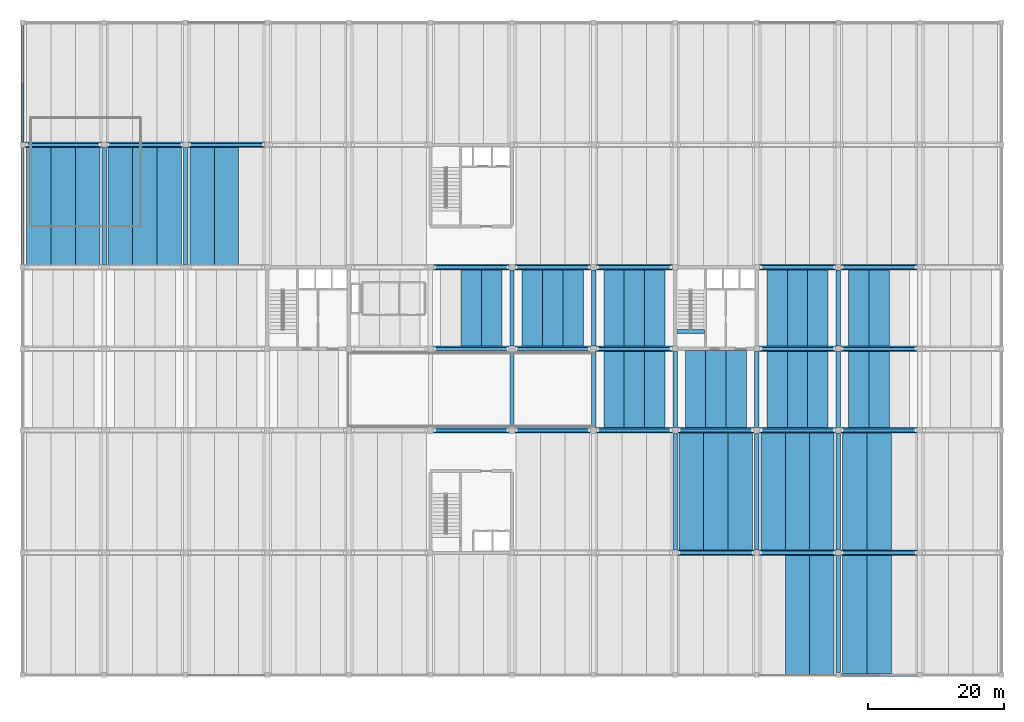
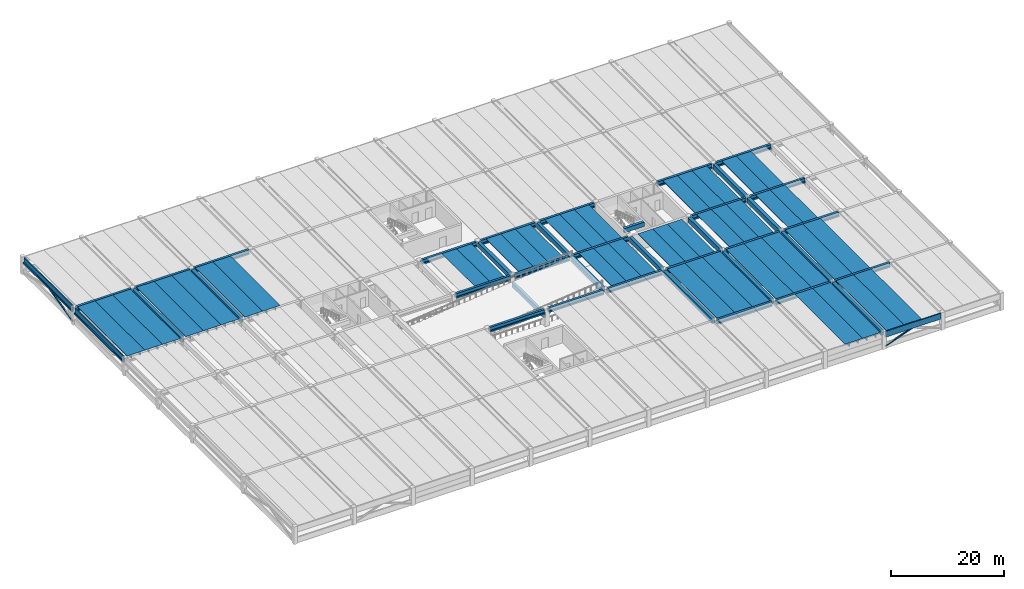
# One storey, part 3 of 14: 84 beams, 2 members.
"""IFC4 building model written with IfcOpenShell, lengths in metres."""

from ifc_helpers import new_model, si_unit, direction, frame, origin, origin_2d, place, context, subcontext, project, spatial, polyline, rectangle, hollow_rectangle, outline, extrude, material, material_profile, profile_set, type_object, element, save


model = new_model("IFC4")

# Units and contexts
model_context = context("Model", 3, precision=1e-05, world=origin(), true_north=direction((0.0, 1.0)))
body_context = subcontext(model_context, "Body", "Model", "MODEL_VIEW")
ifc_project = project(units=[si_unit("LENGTHUNIT", "METRE"), si_unit("AREAUNIT", "SQUARE_METRE"), si_unit("VOLUMEUNIT", "CUBIC_METRE"), si_unit("PLANEANGLEUNIT", "RADIAN"), si_unit("MASSUNIT", "GRAM", prefix="KILO")], contexts=[model_context])

# Site, building, storey
site_placement = place(None, origin())
site = spatial("IfcSite", under=ifc_project, at=site_placement, CompositionType="ELEMENT")
building_placement = place(site_placement, origin())
building = spatial("IfcBuilding", under=site, at=building_placement, Name="Girod Span Mobility Hub", CompositionType="ELEMENT")
storey_placement = place(building_placement, frame((0.0, 0.0, 24.800048828125)))
storey = spatial("IfcBuildingStorey", under=building, at=storey_placement, Name="L06", CompositionType="ELEMENT", Elevation=24.800048828125)

# Beams
ifc_material_1 = material(Name="Concrete C50/60", Category="concrete")
ifc_material_profile_1 = material_profile(ifc_material_1, outline(polyline([(-1.5, 0.300048828125), (-1.5, 0.2099609375), (-0.8349609375, 0.2099609375), (-0.8125, -0.300048828125), (-0.6875, -0.300048828125), (-0.6650390625, 0.2099609375), (0.6650390625, 0.2099609375), (0.6875, -0.300048828125), (0.8125, -0.300048828125), (0.8349609375, 0.2099609375), (1.5, 0.2099609375), (1.5, 0.300048828125), (-1.5, 0.300048828125)])), Name="DT-3000X600")
ifc_profile_set_1 = profile_set([ifc_material_profile_1], Name="Concrete C50/60")
beam_type_1 = type_object("IfcBeamType", Name="BM-DT-3000X600", PredefinedType="JOIST", material=ifc_profile_set_1)
for number, where, z_axis, x_axis, name in (
    (1, (78.0, 57.22705078125, 3.324951171875), (0.0, 1.0, 0.0), (-1.0, 0.0, 0.0), "Double-Tee Deck 7/E-2 L06"),
    (2, (81.0, 57.22705078125, 3.324951171875), (0.0, 1.0, 0.0), (-1.0, 0.0, 0.0), "Double-Tee Deck 7/E-3 L06"),
    (3, (87.0, 57.22705078125, 3.324951171875), (0.0, 1.0, 0.0), (-1.0, 0.0, 0.0), "Double-Tee Deck 8/E-1 L06"),
    (4, (90.0, 57.22705078125, 3.324951171875), (0.0, 1.0, 0.0), (-1.0, 0.0, 0.0), "Double-Tee Deck 8/E-2 L06"),
    (5, (93.0, 57.22705078125, 3.324951171875), (0.0, 1.0, 0.0), (-1.0, 0.0, 0.0), "Double-Tee Deck 8/E-3 L06"),
    (6, (99.0, 45.22705078125, 3.324951171875), (0.0, 1.0, 0.0), (-1.0, 0.0, 0.0), "Double-Tee Deck 9/D-1 L06"),
    (7, (102.0, 45.22705078125, 3.324951171875), (0.0, 1.0, 0.0), (-1.0, 0.0, 0.0), "Double-Tee Deck 9/D-2 L06"),
    (8, (105.0, 45.22705078125, 3.324951171875), (0.0, 1.0, 0.0), (-1.0, 0.0, 0.0), "Double-Tee Deck 9/D-3 L06"),
    (9, (99.0, 57.22705078125, 3.324951171875), (0.0, 1.0, 0.0), (-1.0, 0.0, 0.0), "Double-Tee Deck 9/E-1 L06"),
    (10, (102.0, 57.22705078125, 3.324951171875), (0.0, 1.0, 0.0), (-1.0, 0.0, 0.0), "Double-Tee Deck 9/E-2 L06"),
    (11, (105.0, 57.22705078125, 3.324951171875), (0.0, 1.0, 0.0), (-1.0, 0.0, 0.0), "Double-Tee Deck 9/E-3 L06"),
):
    element("IfcBeam", number, at=place(storey_placement, frame(where, z_axis=z_axis, x_axis=x_axis)), inside=storey, type_object=beam_type_1, Name=name, PredefinedType="JOIST", context=body_context, shape_type="SweptSolid", body=[
        extrude(outline(polyline([(-1.5, 0.300048828125), (-1.5, 0.2099609375), (-0.8349609375, 0.2099609375), (-0.8125, -0.300048828125), (-0.6875, -0.300048828125), (-0.6650390625, 0.2099609375), (0.6650390625, 0.2099609375), (0.6875, -0.300048828125), (0.8125, -0.300048828125), (0.8349609375, 0.2099609375), (1.5, 0.2099609375), (1.5, 0.300048828125), (-1.5, 0.300048828125)])), origin(), (0.0, 0.0, 1.0), 11.5458984375),
    ])
for number, where, z_axis, x_axis, name in (
    (12, (111.0, 45.22705078125, 3.324951171875), (0.0, 1.0, 0.0), (-1.0, 0.0, 0.0), "Double-Tee Deck 10/D-1 L06"),
    (13, (114.0, 45.22705078125, 3.324951171875), (0.0, 1.0, 0.0), (-1.0, 0.0, 0.0), "Double-Tee Deck 10/D-2 L06"),
    (14, (117.0, 45.22705078125, 3.324951171875), (0.0, 1.0, 0.0), (-1.0, 0.0, 0.0), "Double-Tee Deck 10/D-3 L06"),
):
    element("IfcBeam", number, at=place(storey_placement, frame(where, z_axis=z_axis, x_axis=x_axis)), inside=storey, type_object=beam_type_1, Name=name, PredefinedType="JOIST", context=body_context, shape_type="SweptSolid", body=[
        extrude(outline(polyline([(-1.5, 0.300048828125), (-1.5, 0.2099609375), (-0.8349609375, 0.2099609375), (-0.8125, -0.300048828125), (-0.6875, -0.300048828125), (-0.6650390625, 0.2099609375), (0.6650390625, 0.2099609375), (0.6875, -0.300048828125), (0.8125, -0.300048828125), (0.8349609375, 0.2099609375), (1.5, 0.2099609375), (1.5, 0.300048828125), (-1.5, 0.300048828125)])), origin(), (0.0, 0.0, 1.0), 11.52587890625),
    ])
for number, where, z_axis, x_axis, name in (
    (15, (123.0, 45.22705078125, 3.324951171875), (0.0, 1.0, 0.0), (-1.0, 0.0, 0.0), "Double-Tee Deck 11/D-1 L06"),
    (16, (126.0, 45.22705078125, 3.324951171875), (0.0, 1.0, 0.0), (-1.0, 0.0, 0.0), "Double-Tee Deck 11/D-2 L06"),
    (17, (129.0, 45.22705078125, 3.324951171875), (0.0, 1.0, 0.0), (-1.0, 0.0, 0.0), "Double-Tee Deck 11/D-3 L06"),
    (18, (123.0, 57.22705078125, 3.324951171875), (0.0, 1.0, 0.0), (-1.0, 0.0, 0.0), "Double-Tee Deck 11/E-1 L06"),
    (19, (126.0, 57.22705078125, 3.324951171875), (0.0, 1.0, 0.0), (-1.0, 0.0, 0.0), "Double-Tee Deck 11/E-2 L06"),
    (20, (129.0, 57.22705078125, 3.324951171875), (0.0, 1.0, 0.0), (-1.0, 0.0, 0.0), "Double-Tee Deck 11/E-3 L06"),
    (21, (135.0, 45.22705078125, 3.324951171875), (0.0, 1.0, 0.0), (-1.0, 0.0, 0.0), "Double-Tee Deck 12/D-1 L06"),
    (22, (138.0, 45.22705078125, 3.324951171875), (0.0, 1.0, 0.0), (-1.0, 0.0, 0.0), "Double-Tee Deck 12/D-2 L06"),
    (23, (135.0, 57.22705078125, 3.324951171875), (0.0, 1.0, 0.0), (-1.0, 0.0, 0.0), "Double-Tee Deck 12/E-1 L06"),
    (24, (138.0, 57.22705078125, 3.324951171875), (0.0, 1.0, 0.0), (-1.0, 0.0, 0.0), "Double-Tee Deck 12/E-2 L06"),
):
    element("IfcBeam", number, at=place(storey_placement, frame(where, z_axis=z_axis, x_axis=x_axis)), inside=storey, type_object=beam_type_1, Name=name, PredefinedType="JOIST", context=body_context, shape_type="SweptSolid", body=[
        extrude(outline(polyline([(-1.5, 0.300048828125), (-1.5, 0.2099609375), (-0.8349609375, 0.2099609375), (-0.8125, -0.300048828125), (-0.6875, -0.300048828125), (-0.6650390625, 0.2099609375), (0.6650390625, 0.2099609375), (0.6875, -0.300048828125), (0.8125, -0.300048828125), (0.8349609375, 0.2099609375), (1.5, 0.2099609375), (1.5, 0.300048828125), (-1.5, 0.300048828125)])), origin(), (0.0, 0.0, 1.0), 11.5458984375),
    ])
ifc_material_2 = material(Name="Concrete C50/60", Category="concrete")
ifc_material_profile_2 = material_profile(ifc_material_2, outline(polyline([(-1.800048828125, 0.425048828125), (-1.800048828125, 0.324951171875), (-1.0, 0.324951171875), (-0.969970703125, -0.425048828125), (-0.830078125, -0.425048828125), (-0.800048828125, 0.324951171875), (0.800048828125, 0.324951171875), (0.830078125, -0.425048828125), (0.969970703125, -0.425048828125), (1.0, 0.324951171875), (1.800048828125, 0.324951171875), (1.800048828125, 0.425048828125), (-1.800048828125, 0.425048828125)])), Name="DT-3600X850")
ifc_profile_set_2 = profile_set([ifc_material_profile_2], Name="Concrete C50/60")
beam_type_2 = type_object("IfcBeamType", Name="BM-DT-3600X850", PredefinedType="JOIST", material=ifc_profile_set_2)
for number, where, z_axis, x_axis, name in (
    (25, (14.39990234375, 69.22705078125, 3.199951171875), (0.0, 1.0, 0.0), (-1.0, 0.0, 0.0), "Double-Tee Deck 2/F-1 L06"),
    (26, (18.0, 69.22705078125, 3.199951171875), (0.0, 1.0, 0.0), (-1.0, 0.0, 0.0), "Double-Tee Deck 2/F-2 L06"),
    (27, (21.60009765625, 69.22705078125, 3.199951171875), (0.0, 1.0, 0.0), (-1.0, 0.0, 0.0), "Double-Tee Deck 2/F-3 L06"),
    (28, (26.39990234375, 69.22705078125, 3.199951171875), (0.0, 1.0, 0.0), (-1.0, 0.0, 0.0), "Double-Tee Deck 3/F-1 L06"),
    (29, (30.0, 69.22705078125, 3.199951171875), (0.0, 1.0, 0.0), (-1.0, 0.0, 0.0), "Double-Tee Deck 3/F-2 L06"),
    (30, (33.60009765625, 69.22705078125, 3.199951171875), (0.0, 1.0, 0.0), (-1.0, 0.0, 0.0), "Double-Tee Deck 3/F-3 L06"),
    (31, (38.39990234375, 69.22705078125, 3.199951171875), (0.0, 1.0, 0.0), (-1.0, 0.0, 0.0), "Double-Tee Deck 4/F-1 L06"),
    (32, (42.0, 69.22705078125, 3.199951171875), (0.0, 1.0, 0.0), (-1.0, 0.0, 0.0), "Double-Tee Deck 4/F-2 L06"),
    (33, (110.39990234375, 27.22705078125, 3.199951171875), (0.0, 1.0, 0.0), (-1.0, 0.0, 0.0), "Double-Tee Deck 10/C-1 L06"),
    (34, (114.0, 27.22705078125, 3.199951171875), (0.0, 1.0, 0.0), (-1.0, 0.0, 0.0), "Double-Tee Deck 10/C-2 L06"),
    (35, (117.60009765625, 27.22705078125, 3.199951171875), (0.0, 1.0, 0.0), (-1.0, 0.0, 0.0), "Double-Tee Deck 10/C-3 L06"),
):
    element("IfcBeam", number, at=place(storey_placement, frame(where, z_axis=z_axis, x_axis=x_axis)), inside=storey, type_object=beam_type_2, Name=name, PredefinedType="JOIST", context=body_context, shape_type="SweptSolid", body=[
        extrude(outline(polyline([(-1.800048828125, 0.425048828125), (-1.800048828125, 0.324951171875), (-1.0, 0.324951171875), (-0.969970703125, -0.425048828125), (-0.830078125, -0.425048828125), (-0.800048828125, 0.324951171875), (0.800048828125, 0.324951171875), (0.830078125, -0.425048828125), (0.969970703125, -0.425048828125), (1.0, 0.324951171875), (1.800048828125, 0.324951171875), (1.800048828125, 0.425048828125), (-1.800048828125, 0.425048828125)])), origin(), (0.0, 0.0, 1.0), 17.5458984375),
    ])
for number, where, z_axis, x_axis, name in (
    (36, (126.0, 9.01708984375, 3.199951171875), (0.0, 1.0, 0.0), (-1.0, 0.0, 0.0), "Double-Tee Deck 11/B-2 L06"),
    (37, (129.60009765625, 9.01708984375, 3.199951171875), (0.0, 1.0, 0.0), (-1.0, 0.0, 0.0), "Double-Tee Deck 11/B-3 L06"),
):
    element("IfcBeam", number, at=place(storey_placement, frame(where, z_axis=z_axis, x_axis=x_axis)), inside=storey, type_object=beam_type_2, Name=name, PredefinedType="JOIST", context=body_context, shape_type="SweptSolid", body=[
        extrude(outline(polyline([(-1.800048828125, 0.425048828125), (-1.800048828125, 0.324951171875), (-1.0, 0.324951171875), (-0.969970703125, -0.425048828125), (-0.830078125, -0.425048828125), (-0.800048828125, 0.324951171875), (0.800048828125, 0.324951171875), (0.830078125, -0.425048828125), (0.969970703125, -0.425048828125), (1.0, 0.324951171875), (1.800048828125, 0.324951171875), (1.800048828125, 0.425048828125), (-1.800048828125, 0.425048828125)])), origin(), (0.0, 0.0, 1.0), 17.755859375),
    ])
for number, where, z_axis, x_axis, name in (
    (38, (122.39990234375, 27.22705078125, 3.199951171875), (0.0, 1.0, 0.0), (-1.0, 0.0, 0.0), "Double-Tee Deck 11/C-1 L06"),
    (39, (126.0, 27.22705078125, 3.199951171875), (0.0, 1.0, 0.0), (-1.0, 0.0, 0.0), "Double-Tee Deck 11/C-2 L06"),
    (40, (129.60009765625, 27.22705078125, 3.199951171875), (0.0, 1.0, 0.0), (-1.0, 0.0, 0.0), "Double-Tee Deck 11/C-3 L06"),
):
    element("IfcBeam", number, at=place(storey_placement, frame(where, z_axis=z_axis, x_axis=x_axis)), inside=storey, type_object=beam_type_2, Name=name, PredefinedType="JOIST", context=body_context, shape_type="SweptSolid", body=[
        extrude(outline(polyline([(-1.800048828125, 0.425048828125), (-1.800048828125, 0.324951171875), (-1.0, 0.324951171875), (-0.969970703125, -0.425048828125), (-0.830078125, -0.425048828125), (-0.800048828125, 0.324951171875), (0.800048828125, 0.324951171875), (0.830078125, -0.425048828125), (0.969970703125, -0.425048828125), (1.0, 0.324951171875), (1.800048828125, 0.324951171875), (1.800048828125, 0.425048828125), (-1.800048828125, 0.425048828125)])), origin(), (0.0, 0.0, 1.0), 17.5458984375),
    ])
for number, where, z_axis, x_axis, name in (
    (41, (134.39990234375, 9.01708984375, 3.199951171875), (0.0, 1.0, 0.0), (-1.0, 0.0, 0.0), "Double-Tee Deck 12/B-1 L06"),
    (42, (138.0, 9.01708984375, 3.199951171875), (0.0, 1.0, 0.0), (-1.0, 0.0, 0.0), "Double-Tee Deck 12/B-2 L06"),
):
    element("IfcBeam", number, at=place(storey_placement, frame(where, z_axis=z_axis, x_axis=x_axis)), inside=storey, type_object=beam_type_2, Name=name, PredefinedType="JOIST", context=body_context, shape_type="SweptSolid", body=[
        extrude(outline(polyline([(-1.800048828125, 0.425048828125), (-1.800048828125, 0.324951171875), (-1.0, 0.324951171875), (-0.969970703125, -0.425048828125), (-0.830078125, -0.425048828125), (-0.800048828125, 0.324951171875), (0.800048828125, 0.324951171875), (0.830078125, -0.425048828125), (0.969970703125, -0.425048828125), (1.0, 0.324951171875), (1.800048828125, 0.324951171875), (1.800048828125, 0.425048828125), (-1.800048828125, 0.425048828125)])), origin(), (0.0, 0.0, 1.0), 17.755859375),
    ])
for number, where, z_axis, x_axis, name in (
    (43, (134.39990234375, 27.22705078125, 3.199951171875), (0.0, 1.0, 0.0), (-1.0, 0.0, 0.0), "Double-Tee Deck 12/C-1 L06"),
    (44, (138.0, 27.22705078125, 3.199951171875), (0.0, 1.0, 0.0), (-1.0, 0.0, 0.0), "Double-Tee Deck 12/C-2 L06"),
):
    element("IfcBeam", number, at=place(storey_placement, frame(where, z_axis=z_axis, x_axis=x_axis)), inside=storey, type_object=beam_type_2, Name=name, PredefinedType="JOIST", context=body_context, shape_type="SweptSolid", body=[
        extrude(outline(polyline([(-1.800048828125, 0.425048828125), (-1.800048828125, 0.324951171875), (-1.0, 0.324951171875), (-0.969970703125, -0.425048828125), (-0.830078125, -0.425048828125), (-0.800048828125, 0.324951171875), (0.800048828125, 0.324951171875), (0.830078125, -0.425048828125), (0.969970703125, -0.425048828125), (1.0, 0.324951171875), (1.800048828125, 0.324951171875), (1.800048828125, 0.425048828125), (-1.800048828125, 0.425048828125)])), origin(), (0.0, 0.0, 1.0), 17.5458984375),
    ])
ifc_material_3 = material(Name="Concrete C50/60", Category="concrete")
ifc_material_profile_3 = material_profile(ifc_material_3, outline(polyline([(-0.39990234375, -0.449951171875), (0.39990234375, -0.449951171875), (0.39990234375, -0.14990234375), (0.22998046875, -0.14990234375), (0.22998046875, 0.449951171875), (-0.22998046875, 0.449951171875), (-0.22998046875, -0.14990234375), (-0.39990234375, -0.14990234375), (-0.39990234375, -0.449951171875)])), Name="IT-800X900")
ifc_profile_set_3 = profile_set([ifc_material_profile_3], Name="Concrete C50/60")
beam_type_3 = type_object("IfcBeamType", Name="BM-IT-800X900", PredefinedType="T_BEAM", material=ifc_profile_set_3)
for number, where, z_axis, x_axis, name in (
    (45, (108.39697265625, 27.0, 3.175048828125), (1.0, 0.0, 0.0), (0.0, 1.0, 0.0), "Girder 10-11/C L06"),
    (46, (120.39697265625, 27.0, 3.175048828125), (1.0, 0.0, 0.0), (0.0, 1.0, 0.0), "Girder 11-12/C L06"),
    (47, (132.39697265625, 27.0, 3.175048828125), (1.0, 0.0, 0.0), (0.0, 1.0, 0.0), "Girder 12-13/C L06"),
):
    element("IfcBeam", number, at=place(storey_placement, frame(where, z_axis=z_axis, x_axis=x_axis)), inside=storey, type_object=beam_type_3, Name=name, PredefinedType="T_BEAM", context=body_context, shape_type="SweptSolid", body=[
        extrude(outline(polyline([(-0.39990234375, -0.449951171875), (0.39990234375, -0.449951171875), (0.39990234375, -0.14990234375), (0.22998046875, -0.14990234375), (0.22998046875, 0.449951171875), (-0.22998046875, 0.449951171875), (-0.22998046875, -0.14990234375), (-0.39990234375, -0.14990234375), (-0.39990234375, -0.449951171875)])), origin(), (0.0, 0.0, 1.0), 11.2060546875),
    ])
for number, where, z_axis, x_axis, name in (
    (48, (72.422119140625, 45.0, 3.175048828125), (1.0, 0.0, 0.0), (0.0, 1.0, 0.0), "Girder 7-8/D L06"),
    (49, (84.422119140625, 45.0, 3.175048828125), (1.0, 0.0, 0.0), (0.0, 1.0, 0.0), "Girder 8-9/D L06"),
    (50, (96.422119140625, 45.0, 3.175048828125), (1.0, 0.0, 0.0), (0.0, 1.0, 0.0), "Girder 9-10/D L06"),
    (51, (108.422119140625, 45.0, 3.175048828125), (1.0, 0.0, 0.0), (0.0, 1.0, 0.0), "Girder 10-11/D L06"),
):
    element("IfcBeam", number, at=place(storey_placement, frame(where, z_axis=z_axis, x_axis=x_axis)), inside=storey, type_object=beam_type_3, Name=name, PredefinedType="T_BEAM", context=body_context, shape_type="SweptSolid", body=[
        extrude(outline(polyline([(-0.39990234375, -0.449951171875), (0.39990234375, -0.449951171875), (0.39990234375, -0.14990234375), (0.22998046875, -0.14990234375), (0.22998046875, 0.449951171875), (-0.22998046875, 0.449951171875), (-0.22998046875, -0.14990234375), (-0.39990234375, -0.14990234375), (-0.39990234375, -0.449951171875)])), origin(), (0.0, 0.0, 1.0), 11.15576171875),
    ])
beam_1_placement = place(storey_placement, frame((120.422119140625, 45.0, 3.175048828125), z_axis=(1.0, 0.0, 0.0), x_axis=(0.0, 1.0, 0.0)))
element("IfcBeam", 52, at=beam_1_placement, inside=storey, type_object=beam_type_3, Name="Girder 11-12/D L06", PredefinedType="T_BEAM", context=body_context, shape_type="SweptSolid", body=[
    extrude(outline(polyline([(-0.39990234375, -0.449951171875), (0.39990234375, -0.449951171875), (0.39990234375, -0.14990234375), (0.22998046875, -0.14990234375), (0.22998046875, 0.449951171875), (-0.22998046875, 0.449951171875), (-0.22998046875, -0.14990234375), (-0.39990234375, -0.14990234375), (-0.39990234375, -0.449951171875)])), origin(), (0.0, 0.0, 1.0), 11.180908203125),
])
beam_2_placement = place(storey_placement, frame((132.39697265625, 45.0, 3.175048828125), z_axis=(1.0, 0.0, 0.0), x_axis=(0.0, 1.0, 0.0)))
element("IfcBeam", 53, at=beam_2_placement, inside=storey, type_object=beam_type_3, Name="Girder 12-13/D L06", PredefinedType="T_BEAM", context=body_context, shape_type="SweptSolid", body=[
    extrude(outline(polyline([(-0.39990234375, -0.449951171875), (0.39990234375, -0.449951171875), (0.39990234375, -0.14990234375), (0.22998046875, -0.14990234375), (0.22998046875, 0.449951171875), (-0.22998046875, 0.449951171875), (-0.22998046875, -0.14990234375), (-0.39990234375, -0.14990234375), (-0.39990234375, -0.449951171875)])), origin(), (0.0, 0.0, 1.0), 11.2060546875),
])
for number, where, z_axis, x_axis, name in (
    (54, (72.422119140625, 57.0, 3.175048828125), (1.0, 0.0, 0.0), (0.0, 1.0, 0.0), "Girder 7-8/E L06"),
    (55, (84.422119140625, 57.0, 3.175048828125), (1.0, 0.0, 0.0), (0.0, 1.0, 0.0), "Girder 8-9/E L06"),
    (56, (96.422119140625, 57.0, 3.175048828125), (1.0, 0.0, 0.0), (0.0, 1.0, 0.0), "Girder 9-10/E L06"),
):
    element("IfcBeam", number, at=place(storey_placement, frame(where, z_axis=z_axis, x_axis=x_axis)), inside=storey, type_object=beam_type_3, Name=name, PredefinedType="T_BEAM", context=body_context, shape_type="SweptSolid", body=[
        extrude(outline(polyline([(-0.39990234375, -0.449951171875), (0.39990234375, -0.449951171875), (0.39990234375, -0.14990234375), (0.22998046875, -0.14990234375), (0.22998046875, 0.449951171875), (-0.22998046875, 0.449951171875), (-0.22998046875, -0.14990234375), (-0.39990234375, -0.14990234375), (-0.39990234375, -0.449951171875)])), origin(), (0.0, 0.0, 1.0), 11.15576171875),
    ])
beam_3_placement = place(storey_placement, frame((120.422119140625, 57.0, 3.175048828125), z_axis=(1.0, 0.0, 0.0), x_axis=(0.0, 1.0, 0.0)))
element("IfcBeam", 57, at=beam_3_placement, inside=storey, type_object=beam_type_3, Name="Girder 11-12/E L06", PredefinedType="T_BEAM", context=body_context, shape_type="SweptSolid", body=[
    extrude(outline(polyline([(-0.39990234375, -0.449951171875), (0.39990234375, -0.449951171875), (0.39990234375, -0.14990234375), (0.22998046875, -0.14990234375), (0.22998046875, 0.449951171875), (-0.22998046875, 0.449951171875), (-0.22998046875, -0.14990234375), (-0.39990234375, -0.14990234375), (-0.39990234375, -0.449951171875)])), origin(), (0.0, 0.0, 1.0), 11.180908203125),
])
beam_4_placement = place(storey_placement, frame((132.39697265625, 57.0, 3.175048828125), z_axis=(1.0, 0.0, 0.0), x_axis=(0.0, 1.0, 0.0)))
element("IfcBeam", 58, at=beam_4_placement, inside=storey, type_object=beam_type_3, Name="Girder 12-13/E L06", PredefinedType="T_BEAM", context=body_context, shape_type="SweptSolid", body=[
    extrude(outline(polyline([(-0.39990234375, -0.449951171875), (0.39990234375, -0.449951171875), (0.39990234375, -0.14990234375), (0.22998046875, -0.14990234375), (0.22998046875, 0.449951171875), (-0.22998046875, 0.449951171875), (-0.22998046875, -0.14990234375), (-0.39990234375, -0.14990234375), (-0.39990234375, -0.449951171875)])), origin(), (0.0, 0.0, 1.0), 11.2060546875),
])
for number, where, z_axis, x_axis, name in (
    (59, (72.422119140625, 69.0, 3.175048828125), (1.0, 0.0, 0.0), (0.0, 1.0, 0.0), "Girder 7-8/F L06"),
    (60, (84.422119140625, 69.0, 3.175048828125), (1.0, 0.0, 0.0), (0.0, 1.0, 0.0), "Girder 8-9/F L06"),
    (61, (96.422119140625, 69.0, 3.175048828125), (1.0, 0.0, 0.0), (0.0, 1.0, 0.0), "Girder 9-10/F L06"),
):
    element("IfcBeam", number, at=place(storey_placement, frame(where, z_axis=z_axis, x_axis=x_axis)), inside=storey, type_object=beam_type_3, Name=name, PredefinedType="T_BEAM", context=body_context, shape_type="SweptSolid", body=[
        extrude(outline(polyline([(-0.39990234375, -0.449951171875), (0.39990234375, -0.449951171875), (0.39990234375, -0.14990234375), (0.22998046875, -0.14990234375), (0.22998046875, 0.449951171875), (-0.22998046875, 0.449951171875), (-0.22998046875, -0.14990234375), (-0.39990234375, -0.14990234375), (-0.39990234375, -0.449951171875)])), origin(), (0.0, 0.0, 1.0), 11.15576171875),
    ])
beam_5_placement = place(storey_placement, frame((120.422119140625, 69.0, 3.175048828125), z_axis=(1.0, 0.0, 0.0), x_axis=(0.0, 1.0, 0.0)))
element("IfcBeam", 62, at=beam_5_placement, inside=storey, type_object=beam_type_3, Name="Girder 11-12/F L06", PredefinedType="T_BEAM", context=body_context, shape_type="SweptSolid", body=[
    extrude(outline(polyline([(-0.39990234375, -0.449951171875), (0.39990234375, -0.449951171875), (0.39990234375, -0.14990234375), (0.22998046875, -0.14990234375), (0.22998046875, 0.449951171875), (-0.22998046875, 0.449951171875), (-0.22998046875, -0.14990234375), (-0.39990234375, -0.14990234375), (-0.39990234375, -0.449951171875)])), origin(), (0.0, 0.0, 1.0), 11.180908203125),
])
beam_6_placement = place(storey_placement, frame((132.39697265625, 69.0, 3.175048828125), z_axis=(1.0, 0.0, 0.0), x_axis=(0.0, 1.0, 0.0)))
element("IfcBeam", 63, at=beam_6_placement, inside=storey, type_object=beam_type_3, Name="Girder 12-13/F L06", PredefinedType="T_BEAM", context=body_context, shape_type="SweptSolid", body=[
    extrude(outline(polyline([(-0.39990234375, -0.449951171875), (0.39990234375, -0.449951171875), (0.39990234375, -0.14990234375), (0.22998046875, -0.14990234375), (0.22998046875, 0.449951171875), (-0.22998046875, 0.449951171875), (-0.22998046875, -0.14990234375), (-0.39990234375, -0.14990234375), (-0.39990234375, -0.449951171875)])), origin(), (0.0, 0.0, 1.0), 11.2060546875),
])
beam_7_placement = place(storey_placement, frame((12.3720703125, 87.0, 3.175048828125), z_axis=(1.0, 0.0, 0.0), x_axis=(0.0, 1.0, 0.0)))
element("IfcBeam", 64, at=beam_7_placement, inside=storey, type_object=beam_type_3, Name="Girder 2-3/G L06", PredefinedType="T_BEAM", context=body_context, shape_type="SweptSolid", body=[
    extrude(outline(polyline([(-0.39990234375, -0.449951171875), (0.39990234375, -0.449951171875), (0.39990234375, -0.14990234375), (0.22998046875, -0.14990234375), (0.22998046875, 0.449951171875), (-0.22998046875, 0.449951171875), (-0.22998046875, -0.14990234375), (-0.39990234375, -0.14990234375), (-0.39990234375, -0.449951171875)])), origin(), (0.0, 0.0, 1.0), 11.23095703125),
])
for number, where, z_axis, x_axis, name in (
    (65, (24.39697265625, 87.0, 3.175048828125), (1.0, 0.0, 0.0), (0.0, 1.0, 0.0), "Girder 3-4/G L06"),
    (66, (36.39697265625, 87.0, 3.175048828125), (1.0, 0.0, 0.0), (0.0, 1.0, 0.0), "Girder 4-5/G L06"),
):
    element("IfcBeam", number, at=place(storey_placement, frame(where, z_axis=z_axis, x_axis=x_axis)), inside=storey, type_object=beam_type_3, Name=name, PredefinedType="T_BEAM", context=body_context, shape_type="SweptSolid", body=[
        extrude(outline(polyline([(-0.39990234375, -0.449951171875), (0.39990234375, -0.449951171875), (0.39990234375, -0.14990234375), (0.22998046875, -0.14990234375), (0.22998046875, 0.449951171875), (-0.22998046875, 0.449951171875), (-0.22998046875, -0.14990234375), (-0.39990234375, -0.14990234375), (-0.39990234375, -0.449951171875)])), origin(), (0.0, 0.0, 1.0), 11.2060546875),
    ])
ifc_material_4 = material(Name="Concrete C40/50", Category="concrete")
ifc_material_profile_4 = material_profile(ifc_material_4, rectangle(XDim=0.550048828125, YDim=0.949951171875, at=origin_2d()), Name="RK-550X950")
ifc_profile_set_4 = profile_set([ifc_material_profile_4], Name="Concrete C40/50")
beam_type_4 = type_object("IfcBeamType", Name="BM-RK-550X950", PredefinedType="BEAM", material=ifc_profile_set_4)
beam_8_placement = place(storey_placement, frame((108.2470703125, 59.550048828125, 3.14990234375), z_axis=(1.0, 0.0, 0.0), x_axis=(0.0, 1.0, 0.0)))
element("IfcBeam", 67, at=beam_8_placement, inside=storey, type_object=beam_type_4, Name="Stair ST-2 Landing Header Beam L06", PredefinedType="BEAM", context=body_context, shape_type="SweptSolid", body=[
    extrude(rectangle(XDim=0.550048828125, YDim=0.949951171875, at=origin_2d()), origin(), (0.0, 0.0, 1.0), 4.055908203125),
])
beam_9_placement = place(storey_placement, frame((84.0, 45.422119140625, 1.7783203125), z_axis=(0.0, 1.0, 0.0), x_axis=(-1.0, 0.0, 0.0)))
element("IfcBeam", 68, at=beam_9_placement, inside=storey, type_object=beam_type_4, Name="Vehicular Ramp Support Beam X=84 L06", PredefinedType="BEAM", context=body_context, shape_type="SweptSolid", body=[
    extrude(rectangle(XDim=0.550048828125, YDim=0.949951171875, at=origin_2d()), origin(), (0.0, 0.0, 1.0), 11.15576171875),
])
ifc_material_5 = material(Name="Concrete C40/50", Category="concrete")
ifc_material_profile_5 = material_profile(ifc_material_5, outline(polyline([(-0.199951171875, -0.625), (0.199951171875, -0.625), (0.199951171875, -0.304931640625), (0.02001953125, -0.304931640625), (0.02001953125, 0.625), (-0.199951171875, 0.625), (-0.199951171875, -0.625)])), Name="SP-400X1250")
ifc_profile_set_5 = profile_set([ifc_material_profile_5], Name="Concrete C40/50")
beam_type_5 = type_object("IfcBeamType", Name="BM-SP-400X1250", PredefinedType="SPANDREL", material=ifc_profile_set_5)
beam_10_placement = place(storey_placement, frame((132.3720703125, 9.0, 3.0), z_axis=(1.0, 0.0, 0.0), x_axis=(0.0, 1.0, 0.0)))
element("IfcBeam", 69, at=beam_10_placement, inside=storey, type_object=beam_type_5, Name="Girder 12-13/B L06", PredefinedType="SPANDREL", context=body_context, shape_type="SweptSolid", body=[
    extrude(outline(polyline([(-0.199951171875, -0.625), (0.199951171875, -0.625), (0.199951171875, -0.304931640625), (0.02001953125, -0.304931640625), (0.02001953125, 0.625), (-0.199951171875, 0.625), (-0.199951171875, -0.625)])), origin(), (0.0, 0.0, 1.0), 11.255859375),
])
for number, where, z_axis, x_axis, name in (
    (70, (12.0, 69.3720703125, 3.0), (0.0, 1.0, 0.0), (-1.0, 0.0, 0.0), "Tie Girder 2/F-G L06"),
    (71, (12.0, 87.3720703125, 3.0), (0.0, 1.0, 0.0), (-1.0, 0.0, 0.0), "Tie Girder 2/G-H L06"),
):
    element("IfcBeam", number, at=place(storey_placement, frame(where, z_axis=z_axis, x_axis=x_axis)), inside=storey, type_object=beam_type_5, Name=name, PredefinedType="SPANDREL", context=body_context, shape_type="SweptSolid", body=[
        extrude(outline(polyline([(-0.199951171875, -0.625), (0.199951171875, -0.625), (0.199951171875, -0.304931640625), (0.02001953125, -0.304931640625), (0.02001953125, 0.625), (-0.199951171875, 0.625), (-0.199951171875, -0.625)])), origin(), (0.0, 0.0, 1.0), 17.255859375),
    ])
ifc_material_6 = material(Name="Concrete C40/50", Category="concrete")
ifc_material_profile_6 = material_profile(ifc_material_6, rectangle(XDim=0.64990234375, YDim=1.0, at=origin_2d()), Name="TG-650X1000")
ifc_profile_set_6 = profile_set([ifc_material_profile_6], Name="Concrete C40/50")
beam_type_6 = type_object("IfcBeamType", Name="BM-TG-650X1000", PredefinedType="T_BEAM", material=ifc_profile_set_6)
for number, where, z_axis, x_axis, name in (
    (72, (24.0, 69.39697265625, 3.125), (0.0, 1.0, 0.0), (-1.0, 0.0, 0.0), "Tie Girder 3/F-G L06"),
    (73, (36.0, 69.39697265625, 3.125), (0.0, 1.0, 0.0), (-1.0, 0.0, 0.0), "Tie Girder 4/F-G L06"),
):
    element("IfcBeam", number, at=place(storey_placement, frame(where, z_axis=z_axis, x_axis=x_axis)), inside=storey, type_object=beam_type_6, Name=name, PredefinedType="T_BEAM", context=body_context, shape_type="SweptSolid", body=[
        extrude(rectangle(XDim=0.64990234375, YDim=1.0, at=origin_2d()), origin(), (0.0, 0.0, 1.0), 17.2060546875),
    ])
for number, where, z_axis, x_axis, name in (
    (74, (84.0, 57.422119140625, 3.125), (0.0, 1.0, 0.0), (-1.0, 0.0, 0.0), "Tie Girder 8/E-F L06"),
    (75, (96.0, 45.422119140625, 3.125), (0.0, 1.0, 0.0), (-1.0, 0.0, 0.0), "Tie Girder 9/D-E L06"),
    (76, (96.0, 57.422119140625, 3.125), (0.0, 1.0, 0.0), (-1.0, 0.0, 0.0), "Tie Girder 9/E-F L06"),
):
    element("IfcBeam", number, at=place(storey_placement, frame(where, z_axis=z_axis, x_axis=x_axis)), inside=storey, type_object=beam_type_6, Name=name, PredefinedType="T_BEAM", context=body_context, shape_type="SweptSolid", body=[
        extrude(rectangle(XDim=0.64990234375, YDim=1.0, at=origin_2d()), origin(), (0.0, 0.0, 1.0), 11.15576171875),
    ])
beam_11_placement = place(storey_placement, frame((108.0, 27.39697265625, 3.125), z_axis=(0.0, 1.0, 0.0), x_axis=(-1.0, 0.0, 0.0)))
element("IfcBeam", 77, at=beam_11_placement, inside=storey, type_object=beam_type_6, Name="Tie Girder 10/C-D L06", PredefinedType="T_BEAM", context=body_context, shape_type="SweptSolid", body=[
    extrude(rectangle(XDim=0.64990234375, YDim=1.0, at=origin_2d()), origin(), (0.0, 0.0, 1.0), 17.180908203125),
])
beam_12_placement = place(storey_placement, frame((108.0, 45.422119140625, 3.125), z_axis=(0.0, 1.0, 0.0), x_axis=(-1.0, 0.0, 0.0)))
element("IfcBeam", 78, at=beam_12_placement, inside=storey, type_object=beam_type_6, Name="Tie Girder 10/D-E L06", PredefinedType="T_BEAM", context=body_context, shape_type="SweptSolid", body=[
    extrude(rectangle(XDim=0.64990234375, YDim=1.0, at=origin_2d()), origin(), (0.0, 0.0, 1.0), 11.15576171875),
])
beam_13_placement = place(storey_placement, frame((120.0, 27.39697265625, 3.125), z_axis=(0.0, 1.0, 0.0), x_axis=(-1.0, 0.0, 0.0)))
element("IfcBeam", 79, at=beam_13_placement, inside=storey, type_object=beam_type_6, Name="Tie Girder 11/C-D L06", PredefinedType="T_BEAM", context=body_context, shape_type="SweptSolid", body=[
    extrude(rectangle(XDim=0.64990234375, YDim=1.0, at=origin_2d()), origin(), (0.0, 0.0, 1.0), 17.180908203125),
])
beam_14_placement = place(storey_placement, frame((120.0, 45.422119140625, 3.125), z_axis=(0.0, 1.0, 0.0), x_axis=(-1.0, 0.0, 0.0)))
element("IfcBeam", 80, at=beam_14_placement, inside=storey, type_object=beam_type_6, Name="Tie Girder 11/D-E L06", PredefinedType="T_BEAM", context=body_context, shape_type="SweptSolid", body=[
    extrude(rectangle(XDim=0.64990234375, YDim=1.0, at=origin_2d()), origin(), (0.0, 0.0, 1.0), 11.15576171875),
])
beam_15_placement = place(storey_placement, frame((132.0, 9.3720703125, 3.125), z_axis=(0.0, 1.0, 0.0), x_axis=(-1.0, 0.0, 0.0)))
element("IfcBeam", 81, at=beam_15_placement, inside=storey, type_object=beam_type_6, Name="Tie Girder 12/B-C L06", PredefinedType="T_BEAM", context=body_context, shape_type="SweptSolid", body=[
    extrude(rectangle(XDim=0.64990234375, YDim=1.0, at=origin_2d()), origin(), (0.0, 0.0, 1.0), 17.23095703125),
])
beam_16_placement = place(storey_placement, frame((132.0, 27.39697265625, 3.125), z_axis=(0.0, 1.0, 0.0), x_axis=(-1.0, 0.0, 0.0)))
element("IfcBeam", 82, at=beam_16_placement, inside=storey, type_object=beam_type_6, Name="Tie Girder 12/C-D L06", PredefinedType="T_BEAM", context=body_context, shape_type="SweptSolid", body=[
    extrude(rectangle(XDim=0.64990234375, YDim=1.0, at=origin_2d()), origin(), (0.0, 0.0, 1.0), 17.2060546875),
])
for number, where, z_axis, x_axis, name in (
    (83, (132.0, 45.39697265625, 3.125), (0.0, 1.0, 0.0), (-1.0, 0.0, 0.0), "Tie Girder 12/D-E L06"),
    (84, (132.0, 57.39697265625, 3.125), (0.0, 1.0, 0.0), (-1.0, 0.0, 0.0), "Tie Girder 12/E-F L06"),
):
    element("IfcBeam", number, at=place(storey_placement, frame(where, z_axis=z_axis, x_axis=x_axis)), inside=storey, type_object=beam_type_6, Name=name, PredefinedType="T_BEAM", context=body_context, shape_type="SweptSolid", body=[
        extrude(rectangle(XDim=0.64990234375, YDim=1.0, at=origin_2d()), origin(), (0.0, 0.0, 1.0), 11.2060546875),
    ])

# Members
ifc_material_7 = material(Name="Steel HSS A500 Grade C", Category="steel")
ifc_material_profile_7 = material_profile(ifc_material_7, hollow_rectangle(XDim=0.25390625, YDim=0.25390625, WallThickness=0.01171875, InnerFilletRadius=0.01171875, OuterFilletRadius=0.023681640625, at=origin_2d()), Name="HSS254X254X12.7")
ifc_profile_set_7 = profile_set([ifc_material_profile_7], Name="Steel HSS A500 Grade C")
member_type = type_object("IfcMemberType", Name="MB-BR-HSS254", PredefinedType="BRACE", material=ifc_profile_set_7)
member_1_placement = place(storey_placement, frame((132.35498046875, 9.0, 0.349853515625), z_axis=(0.93697705692, 0.0, 0.349390891132), x_axis=(0.0, 1.0, 0.0)))
element("IfcMember", 85, at=member_1_placement, inside=storey, type_object=member_type, Name="Perimeter Chevron Brace 12/B-L L06", PredefinedType="BRACE", context=body_context, shape_type="SweptSolid", body=[
    extrude(hollow_rectangle(XDim=0.25390625, YDim=0.25390625, WallThickness=0.01171875, InnerFilletRadius=0.01171875, OuterFilletRadius=0.023681640625, at=origin_2d()), origin(), (0.0, 0.0, 1.0), 6.024658203125),
])
member_2_placement = place(storey_placement, frame((12.0, 87.35498046875, 0.349853515625), z_axis=(0.0, 0.971612396053, 0.236578426398), x_axis=(-1.0, 0.0, 0.0)))
element("IfcMember", 86, at=member_2_placement, inside=storey, type_object=member_type, Name="Side Chevron Brace 2/G-S L06", PredefinedType="BRACE", context=body_context, shape_type="SweptSolid", body=[
    extrude(hollow_rectangle(XDim=0.25390625, YDim=0.25390625, WallThickness=0.01171875, InnerFilletRadius=0.01171875, OuterFilletRadius=0.023681640625, at=origin_2d()), origin(), (0.0, 0.0, 1.0), 8.897705078125),
])

save(model, "model.ifc")
